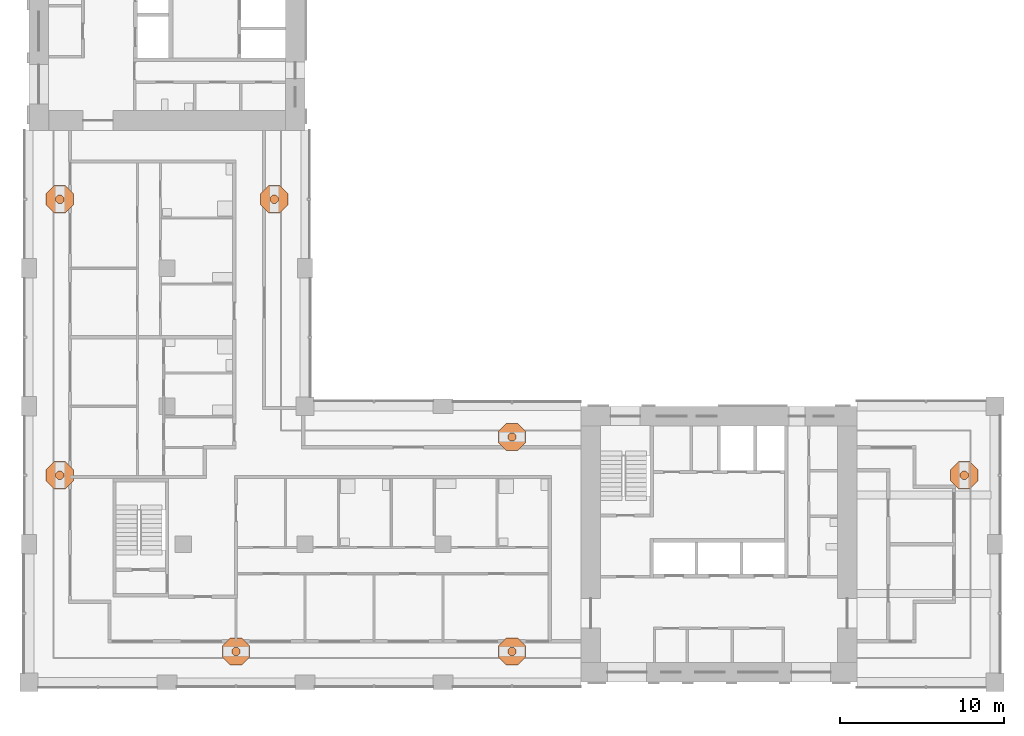
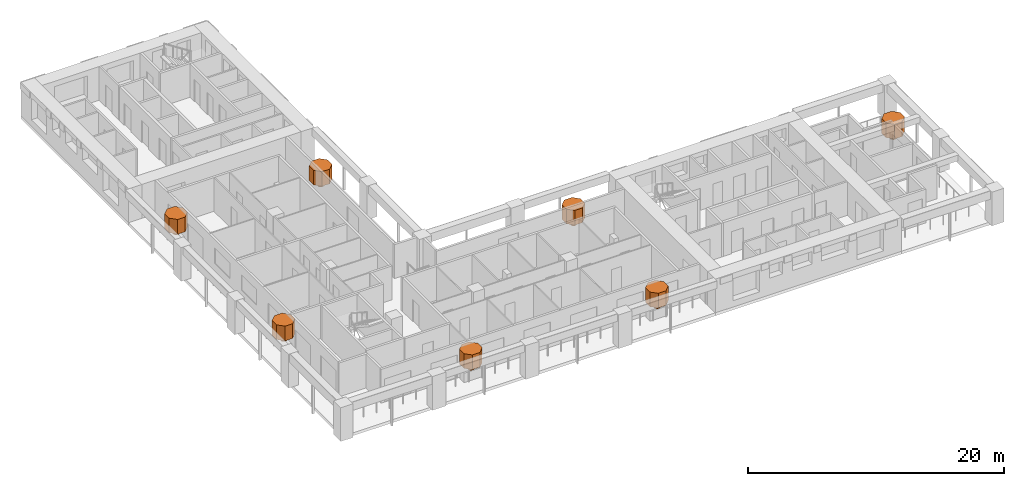
# One storey, part 13 of 13: 14 geographic elements.
"""IFC4 building model written with IfcOpenShell, lengths in metres."""

from ifc_helpers import new_model, si_unit, direction, frame, origin, place, context, subcontext, project, spatial, polyline, outline, extrude, material, element, save


model = new_model("IFC4")

# Units and contexts
model_context = context("Model", 3, precision=1e-05, world=origin(), true_north=direction((0.0, 1.0)))
body_context = subcontext(model_context, "Body", "Model", "MODEL_VIEW")
ifc_project = project(units=[si_unit("LENGTHUNIT", "METRE"), si_unit("AREAUNIT", "SQUARE_METRE"), si_unit("VOLUMEUNIT", "CUBIC_METRE"), si_unit("PLANEANGLEUNIT", "RADIAN"), si_unit("MASSUNIT", "GRAM", prefix="KILO")], contexts=[model_context])

# Site, building, storey
site_placement = place(None, origin())
site = spatial("IfcSite", under=ifc_project, at=site_placement, CompositionType="ELEMENT")
building_placement = place(site_placement, origin())
building = spatial("IfcBuilding", under=site, at=building_placement, Name="Vermilion Gate Residences", CompositionType="ELEMENT")
storey_placement = place(building_placement, frame((0.0, 0.0, 151.199951171875)))
storey = spatial("IfcBuildingStorey", under=building, at=storey_placement, Name="L38", CompositionType="ELEMENT", Elevation=151.199951171875)

# Geographic elements
ifc_material = material(Name="Foliage")
geographic_element_1_placement = place(storey_placement, frame((0.0, 0.0, 0.900146484375)))
element("IfcGeographicElement", 1, at=geographic_element_1_placement, inside=storey, material=ifc_material, Name="Tree (maple)", ObjectType="TREE", PredefinedType="USERDEFINED", context=body_context, shape_type="SweptSolid", body=[
    extrude(outline(polyline([(21.254150390625, 10.380126953125), (21.105224609375, 10.529052734375), (20.894775390625, 10.529052734375), (20.745849609375, 10.380126953125), (20.745849609375, 10.169921875), (20.894775390625, 10.02099609375), (21.105224609375, 10.02099609375), (21.254150390625, 10.169921875), (21.254150390625, 10.380126953125)])), origin(), (0.0, 0.0, 1.0), 0.52001953125),
])
geographic_element_2_placement = place(storey_placement, frame((0.0, 0.0, 1.420166015625)))
element("IfcGeographicElement", 2, at=geographic_element_2_placement, inside=storey, material=ifc_material, Name="Tree crown (maple)", ObjectType="TREE", PredefinedType="USERDEFINED", context=body_context, shape_type="SweptSolid", body=[
    extrude(outline(polyline([(21.83154296875, 10.619384765625), (21.344482421875, 11.1064453125), (20.655517578125, 11.1064453125), (20.16845703125, 10.619384765625), (20.16845703125, 9.9306640625), (20.655517578125, 9.443603515625), (21.344482421875, 9.443603515625), (21.83154296875, 9.9306640625), (21.83154296875, 10.619384765625)])), origin(), (0.0, 0.0, 1.0), 1.39990234375),
])
geographic_element_3_placement = place(storey_placement, frame((0.0, 0.0, 0.900146484375)))
element("IfcGeographicElement", 3, at=geographic_element_3_placement, inside=storey, material=ifc_material, Name="Tree (black pine)", ObjectType="TREE", PredefinedType="USERDEFINED", context=body_context, shape_type="SweptSolid", body=[
    extrude(outline(polyline([(38.05419921875, 10.380126953125), (37.9052734375, 10.529052734375), (37.69482421875, 10.529052734375), (37.5458984375, 10.380126953125), (37.5458984375, 10.169921875), (37.69482421875, 10.02099609375), (37.9052734375, 10.02099609375), (38.05419921875, 10.169921875), (38.05419921875, 10.380126953125)])), origin(), (0.0, 0.0, 1.0), 0.52001953125),
])
geographic_element_4_placement = place(storey_placement, frame((0.0, 0.0, 1.420166015625)))
element("IfcGeographicElement", 4, at=geographic_element_4_placement, inside=storey, material=ifc_material, Name="Tree crown (black pine)", ObjectType="TREE", PredefinedType="USERDEFINED", context=body_context, shape_type="SweptSolid", body=[
    extrude(outline(polyline([(38.631591796875, 10.619384765625), (38.144287109375, 11.1064453125), (37.45556640625, 11.1064453125), (36.968505859375, 10.619384765625), (36.968505859375, 9.9306640625), (37.45556640625, 9.443603515625), (38.144287109375, 9.443603515625), (38.631591796875, 9.9306640625), (38.631591796875, 10.619384765625)])), origin(), (0.0, 0.0, 1.0), 1.39990234375),
])
geographic_element_5_placement = place(storey_placement, frame((0.0, 0.0, 0.900146484375)))
element("IfcGeographicElement", 5, at=geographic_element_5_placement, inside=storey, material=ifc_material, Name="Tree (maple)", ObjectType="TREE", PredefinedType="USERDEFINED", context=body_context, shape_type="SweptSolid", body=[
    extrude(outline(polyline([(65.5791015625, 21.105224609375), (65.43017578125, 21.254150390625), (65.2197265625, 21.254150390625), (65.07080078125, 21.105224609375), (65.07080078125, 20.894775390625), (65.2197265625, 20.745849609375), (65.43017578125, 20.745849609375), (65.5791015625, 20.894775390625), (65.5791015625, 21.105224609375)])), origin(), (0.0, 0.0, 1.0), 0.52001953125),
])
geographic_element_6_placement = place(storey_placement, frame((0.0, 0.0, 1.420166015625)))
element("IfcGeographicElement", 6, at=geographic_element_6_placement, inside=storey, material=ifc_material, Name="Tree crown (maple)", ObjectType="TREE", PredefinedType="USERDEFINED", context=body_context, shape_type="SweptSolid", body=[
    extrude(outline(polyline([(66.156494140625, 21.344482421875), (65.66943359375, 21.83154296875), (64.980712890625, 21.83154296875), (64.493408203125, 21.344482421875), (64.493408203125, 20.655517578125), (64.980712890625, 20.16845703125), (65.66943359375, 20.16845703125), (66.156494140625, 20.655517578125), (66.156494140625, 21.344482421875)])), origin(), (0.0, 0.0, 1.0), 1.39990234375),
])
geographic_element_7_placement = place(storey_placement, frame((0.0, 0.0, 0.900146484375)))
element("IfcGeographicElement", 7, at=geographic_element_7_placement, inside=storey, material=ifc_material, Name="Tree (black pine)", ObjectType="TREE", PredefinedType="USERDEFINED", context=body_context, shape_type="SweptSolid", body=[
    extrude(outline(polyline([(38.05419921875, 23.43017578125), (37.9052734375, 23.5791015625), (37.69482421875, 23.5791015625), (37.5458984375, 23.43017578125), (37.5458984375, 23.2197265625), (37.69482421875, 23.07080078125), (37.9052734375, 23.07080078125), (38.05419921875, 23.2197265625), (38.05419921875, 23.43017578125)])), origin(), (0.0, 0.0, 1.0), 0.52001953125),
])
geographic_element_8_placement = place(storey_placement, frame((0.0, 0.0, 1.420166015625)))
element("IfcGeographicElement", 8, at=geographic_element_8_placement, inside=storey, material=ifc_material, Name="Tree crown (black pine)", ObjectType="TREE", PredefinedType="USERDEFINED", context=body_context, shape_type="SweptSolid", body=[
    extrude(outline(polyline([(38.631591796875, 23.66943359375), (38.144287109375, 24.156494140625), (37.45556640625, 24.156494140625), (36.968505859375, 23.66943359375), (36.968505859375, 22.980712890625), (37.45556640625, 22.493408203125), (38.144287109375, 22.493408203125), (38.631591796875, 22.980712890625), (38.631591796875, 23.66943359375)])), origin(), (0.0, 0.0, 1.0), 1.39990234375),
])
geographic_element_9_placement = place(storey_placement, frame((0.0, 0.0, 0.900146484375)))
element("IfcGeographicElement", 9, at=geographic_element_9_placement, inside=storey, material=ifc_material, Name="Tree (black pine)", ObjectType="TREE", PredefinedType="USERDEFINED", context=body_context, shape_type="SweptSolid", body=[
    extrude(outline(polyline([(23.5791015625, 37.9052734375), (23.43017578125, 38.05419921875), (23.2197265625, 38.05419921875), (23.07080078125, 37.9052734375), (23.07080078125, 37.69482421875), (23.2197265625, 37.5458984375), (23.43017578125, 37.5458984375), (23.5791015625, 37.69482421875), (23.5791015625, 37.9052734375)])), origin(), (0.0, 0.0, 1.0), 0.52001953125),
])
geographic_element_10_placement = place(storey_placement, frame((0.0, 0.0, 1.420166015625)))
element("IfcGeographicElement", 10, at=geographic_element_10_placement, inside=storey, material=ifc_material, Name="Tree crown (black pine)", ObjectType="TREE", PredefinedType="USERDEFINED", context=body_context, shape_type="SweptSolid", body=[
    extrude(outline(polyline([(24.156494140625, 38.144287109375), (23.66943359375, 38.631591796875), (22.980712890625, 38.631591796875), (22.493408203125, 38.144287109375), (22.493408203125, 37.45556640625), (22.980712890625, 36.968505859375), (23.66943359375, 36.968505859375), (24.156494140625, 37.45556640625), (24.156494140625, 38.144287109375)])), origin(), (0.0, 0.0, 1.0), 1.39990234375),
])
geographic_element_11_placement = place(storey_placement, frame((0.0, 0.0, 0.900146484375)))
element("IfcGeographicElement", 11, at=geographic_element_11_placement, inside=storey, material=ifc_material, Name="Tree (maple)", ObjectType="TREE", PredefinedType="USERDEFINED", context=body_context, shape_type="SweptSolid", body=[
    extrude(outline(polyline([(10.529052734375, 21.105224609375), (10.380126953125, 21.254150390625), (10.169921875, 21.254150390625), (10.02099609375, 21.105224609375), (10.02099609375, 20.894775390625), (10.169921875, 20.745849609375), (10.380126953125, 20.745849609375), (10.529052734375, 20.894775390625), (10.529052734375, 21.105224609375)])), origin(), (0.0, 0.0, 1.0), 0.52001953125),
])
geographic_element_12_placement = place(storey_placement, frame((0.0, 0.0, 1.420166015625)))
element("IfcGeographicElement", 12, at=geographic_element_12_placement, inside=storey, material=ifc_material, Name="Tree crown (maple)", ObjectType="TREE", PredefinedType="USERDEFINED", context=body_context, shape_type="SweptSolid", body=[
    extrude(outline(polyline([(11.1064453125, 21.344482421875), (10.619384765625, 21.83154296875), (9.9306640625, 21.83154296875), (9.443603515625, 21.344482421875), (9.443603515625, 20.655517578125), (9.9306640625, 20.16845703125), (10.619384765625, 20.16845703125), (11.1064453125, 20.655517578125), (11.1064453125, 21.344482421875)])), origin(), (0.0, 0.0, 1.0), 1.39990234375),
])
geographic_element_13_placement = place(storey_placement, frame((0.0, 0.0, 0.900146484375)))
element("IfcGeographicElement", 13, at=geographic_element_13_placement, inside=storey, material=ifc_material, Name="Tree (black pine)", ObjectType="TREE", PredefinedType="USERDEFINED", context=body_context, shape_type="SweptSolid", body=[
    extrude(outline(polyline([(10.529052734375, 37.9052734375), (10.380126953125, 38.05419921875), (10.169921875, 38.05419921875), (10.02099609375, 37.9052734375), (10.02099609375, 37.69482421875), (10.169921875, 37.5458984375), (10.380126953125, 37.5458984375), (10.529052734375, 37.69482421875), (10.529052734375, 37.9052734375)])), origin(), (0.0, 0.0, 1.0), 0.52001953125),
])
geographic_element_14_placement = place(storey_placement, frame((0.0, 0.0, 1.420166015625)))
element("IfcGeographicElement", 14, at=geographic_element_14_placement, inside=storey, material=ifc_material, Name="Tree crown (black pine)", ObjectType="TREE", PredefinedType="USERDEFINED", context=body_context, shape_type="SweptSolid", body=[
    extrude(outline(polyline([(11.1064453125, 38.144287109375), (10.619384765625, 38.631591796875), (9.9306640625, 38.631591796875), (9.443603515625, 38.144287109375), (9.443603515625, 37.45556640625), (9.9306640625, 36.968505859375), (10.619384765625, 36.968505859375), (11.1064453125, 37.45556640625), (11.1064453125, 38.144287109375)])), origin(), (0.0, 0.0, 1.0), 1.39990234375),
])

save(model, "model.ifc")
